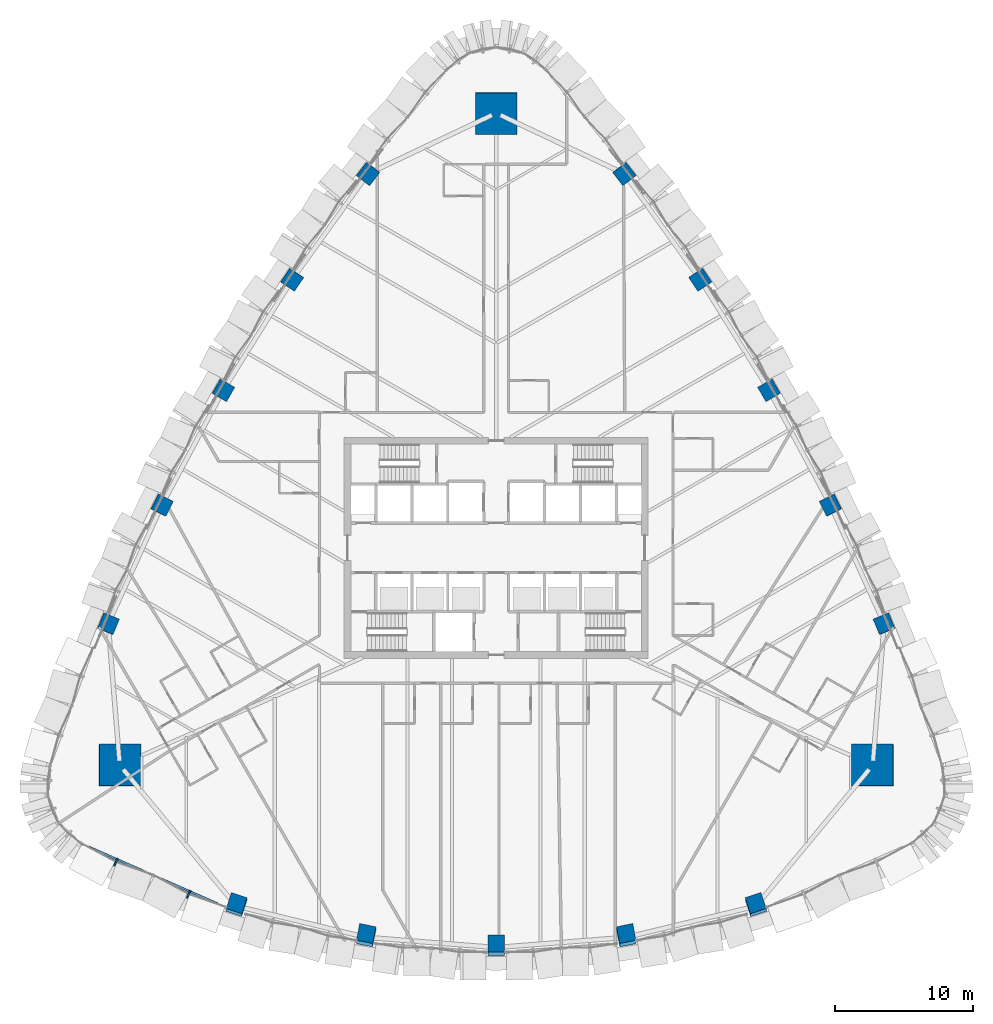
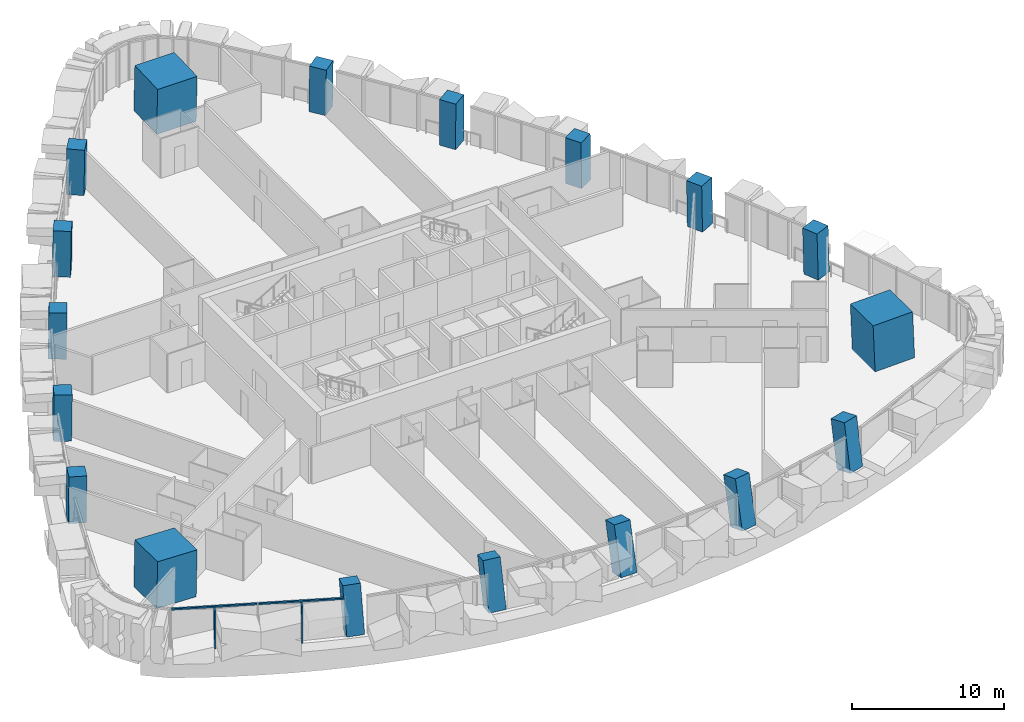
# One storey, part 1 of 27: 18 columns, 4 members, 1 element without a shape of its own.
"""IFC4 building model written with IfcOpenShell, lengths in metres."""

from ifc_helpers import new_model, si_unit, direction, frame, origin, origin_2d, place, context, subcontext, project, spatial, rectangle, extrude, clip, halfspace, material, layer, layer_set, material_profile, profile_set, type_object, element, aggregate, save


model = new_model("IFC4")

# Units and contexts
model_context = context("Model", 3, precision=1e-05, world=origin(), true_north=direction((0.0, 1.0)))
body_context = subcontext(model_context, "Body", "Model", "MODEL_VIEW")
ifc_project = project(units=[si_unit("LENGTHUNIT", "METRE"), si_unit("AREAUNIT", "SQUARE_METRE"), si_unit("VOLUMEUNIT", "CUBIC_METRE"), si_unit("PLANEANGLEUNIT", "RADIAN"), si_unit("MASSUNIT", "GRAM", prefix="KILO")], contexts=[model_context])

# Site, building, storey
site_placement = place(None, origin())
site = spatial("IfcSite", under=ifc_project, at=site_placement, CompositionType="ELEMENT")
building_placement = place(site_placement, origin())
building = spatial("IfcBuilding", under=site, at=building_placement, Name="Sierra Prisma Convention Tower", CompositionType="ELEMENT")
storey_placement = place(building_placement, frame((0.0, 0.0, 48.0)))
storey = spatial("IfcBuildingStorey", under=building, at=storey_placement, Name="L07", CompositionType="ELEMENT", Elevation=48.0)

# Columns
ifc_material_1 = material(Name="Concrete C60/75", Category="concrete")
ifc_material_profile_1 = material_profile(ifc_material_1, rectangle(XDim=3.0, YDim=3.0, at=origin_2d()), Name="Mega column RC 3000 C60/75")
ifc_profile_set_1 = profile_set([ifc_material_profile_1], Name="Concrete C60/75")
column_type_1 = type_object("IfcColumnType", Name="Mega column RC 3000 C60/75", PredefinedType="COLUMN", material=ifc_profile_set_1)
column_1_placement = place(storey_placement, frame((27.24169921875, -15.72802734375, 0.0), z_axis=(-0.030597838594, 0.017672889533, 0.99937552564), x_axis=(0.99953177652, 0.000541005533, 0.030593055416)))
element("IfcColumn", 1, at=column_1_placement, inside=storey, type_object=column_type_1, Name="Mega column SE L07", PredefinedType="COLUMN", context=body_context, shape_type="SweptSolid", body=[
    clip(extrude(rectangle(XDim=3.0, YDim=3.0, at=origin_2d()), origin(), (0.0, 0.0, 1.0), 3.7021484375), halfspace(frame((0.0, 0.0, 0.017822265625)), True)),
])
column_2_placement = place(storey_placement, frame((0.0, 31.4560546875, 0.0), z_axis=(0.0, -0.03534576554, 0.999375143206), x_axis=(1.0, 0.0, 0.0)))
element("IfcColumn", 2, at=column_2_placement, inside=storey, type_object=column_type_1, Name="Mega column N L07", PredefinedType="COLUMN", context=body_context, shape_type="SweptSolid", body=[
    clip(extrude(rectangle(XDim=3.0, YDim=3.0, at=origin_2d()), origin(), (0.0, 0.0, 1.0), 3.7021484375), halfspace(frame((0.0, 0.0, 0.01318359375)), True)),
])
column_3_placement = place(storey_placement, frame((-27.24169921875, -15.72802734375, 0.0), z_axis=(0.030597838594, 0.017672889533, 0.99937552564), x_axis=(0.99953177652, -0.000541005533, -0.030593055416)))
element("IfcColumn", 3, at=column_3_placement, inside=storey, type_object=column_type_1, Name="Mega column SW L07", PredefinedType="COLUMN", context=body_context, shape_type="SweptSolid", body=[
    clip(extrude(rectangle(XDim=3.0, YDim=3.0, at=origin_2d()), origin(), (0.0, 0.0, 1.0), 3.7021484375), halfspace(frame((0.0, 0.0, 0.017822265625)), True)),
])
ifc_material_2 = material(Name="Concrete C60/75", Category="concrete")
ifc_material_profile_2 = material_profile(ifc_material_2, rectangle(XDim=1.199951171875, YDim=1.199951171875, at=origin_2d()), Name="Perimeter column RC 1200 C60/75")
ifc_profile_set_2 = profile_set([ifc_material_profile_2], Name="Concrete C60/75")
column_type_2 = type_object("IfcColumnType", Name="Perimeter column RC 1200 C60/75", PredefinedType="COLUMN", material=ifc_profile_set_2)
column_4_placement = place(storey_placement, frame((-18.801513671875, -25.928466796875, 0.0), z_axis=(0.019020345186, 0.17825893475, 0.983799765527), x_axis=(-0.950332394894, 0.308956292564, -0.037607824987)))
element("IfcColumn", 4, at=column_4_placement, inside=storey, type_object=column_type_2, Name="Perimeter column S-1 L07", PredefinedType="COLUMN", context=body_context, shape_type="SweptSolid", body=[
    clip(clip(extrude(rectangle(XDim=1.199951171875, YDim=1.199951171875, at=origin_2d()), origin(), (0.0, 0.0, 1.0), 3.760986328125), halfspace(frame((0.0, 0.0, 0.0078125)), True)), halfspace(frame((0.0, 0.0, 3.760009765625)), False)),
])
column_5_placement = place(storey_placement, frame((-9.421142578125, -28.185546875, 0.0), z_axis=(0.00938738074, 0.224525572229, 0.97442298028), x_axis=(0.980605744382, -0.192842524507, 0.034987638199)))
element("IfcColumn", 5, at=column_5_placement, inside=storey, type_object=column_type_2, Name="Perimeter column S-2 L07", PredefinedType="COLUMN", context=body_context, shape_type="SweptSolid", body=[
    clip(extrude(rectangle(XDim=1.199951171875, YDim=1.199951171875, at=origin_2d()), origin(), (0.0, 0.0, 1.0), 3.797119140625), halfspace(frame((0.0, 0.0, 0.00830078125)), True)),
])
column_6_placement = place(storey_placement, frame((0.0, -28.923583984375, 0.0), z_axis=(0.0, 0.238749489976, 0.971081191784), x_axis=(-1.0, 0.0, 0.0)))
element("IfcColumn", 6, at=column_6_placement, inside=storey, type_object=column_type_2, Name="Perimeter column S-3 L07", PredefinedType="COLUMN", context=body_context, shape_type="SweptSolid", body=[
    clip(extrude(rectangle(XDim=1.199951171875, YDim=1.199951171875, at=origin_2d()), origin(), (0.0, 0.0, 1.0), 3.81005859375), halfspace(frame((0.0, 0.0, 0.0087890625)), True)),
])
column_7_placement = place(storey_placement, frame((9.421142578125, -28.185546875, 0.0), z_axis=(-0.00938738074, 0.224525572229, 0.97442298028), x_axis=(-0.980605744382, -0.192842524507, 0.034987638199)))
element("IfcColumn", 7, at=column_7_placement, inside=storey, type_object=column_type_2, Name="Perimeter column S-4 L07", PredefinedType="COLUMN", context=body_context, shape_type="SweptSolid", body=[
    clip(extrude(rectangle(XDim=1.199951171875, YDim=1.199951171875, at=origin_2d()), origin(), (0.0, 0.0, 1.0), 3.797119140625), halfspace(frame((0.0, 0.0, 0.00830078125)), True)),
])
column_8_placement = place(storey_placement, frame((18.801513671875, -25.928466796875, 0.0), z_axis=(-0.019020345186, 0.17825893475, 0.983799765527), x_axis=(0.950332394894, 0.308956292564, -0.037607824987)))
element("IfcColumn", 8, at=column_8_placement, inside=storey, type_object=column_type_2, Name="Perimeter column S-5 L07", PredefinedType="COLUMN", context=body_context, shape_type="SweptSolid", body=[
    clip(clip(extrude(rectangle(XDim=1.199951171875, YDim=1.199951171875, at=origin_2d()), origin(), (0.0, 0.0, 1.0), 3.760986328125), halfspace(frame((0.0, 0.0, 0.0078125)), True)), halfspace(frame((0.0, 0.0, 3.760009765625)), False)),
])
column_9_placement = place(storey_placement, frame((28.076904296875, -5.5, 0.0), z_axis=(-0.019526598325, 0.011016695677, 0.999748640596), x_axis=(-0.381957446123, 0.924011503162, -0.017642317722)))
element("IfcColumn", 9, at=column_9_placement, inside=storey, type_object=column_type_2, Name="Perimeter column NE-1 L07", PredefinedType="COLUMN", context=body_context, shape_type="SweptSolid", body=[
    clip(extrude(rectangle(XDim=1.199951171875, YDim=1.199951171875, at=origin_2d()), origin(), (0.0, 0.0, 1.0), 3.700927734375), halfspace(frame((0.0, 0.0, 0.0048828125)), True)),
])
column_10_placement = place(storey_placement, frame((24.191162109375, 3.088134765625, 0.0), z_axis=(-0.015306644787, 0.002309192102, 0.99988017995), x_axis=(-0.441920685772, 0.897010601558, -0.008836751577)))
element("IfcColumn", 10, at=column_10_placement, inside=storey, type_object=column_type_2, Name="Perimeter column NE-2 L07", PredefinedType="COLUMN", context=body_context, shape_type="SweptSolid", body=[
    clip(extrude(rectangle(XDim=1.199951171875, YDim=1.199951171875, at=origin_2d()), origin(), (0.0, 0.0, 1.0), 3.700439453125), halfspace(frame((0.0, 0.0, 0.00341796875)), True)),
])
column_11_placement = place(storey_placement, frame((19.7490234375, 11.402099609375, 0.0), z_axis=(-0.010688729499, -0.00613612249, 0.999924046647), x_axis=(-0.49997143695, 0.866041893524, -2.9922579e-05)))
element("IfcColumn", 11, at=column_11_placement, inside=storey, type_object=column_type_2, Name="Perimeter column NE-3 L07", PredefinedType="COLUMN", context=body_context, shape_type="SweptSolid", body=[
    clip(extrude(rectangle(XDim=1.199951171875, YDim=1.199951171875, at=origin_2d()), origin(), (0.0, 0.0, 1.0), 3.7001953125), halfspace(frame((0.0, 0.0, 0.002197265625)), True)),
])
column_12_placement = place(storey_placement, frame((14.77001953125, 19.406005859375, 0.0), z_axis=(-0.005674016471, -0.014382971985, 0.999880460682), x_axis=(-0.555854390577, 0.831233065073, 0.008802727192)))
element("IfcColumn", 12, at=column_12_placement, inside=storey, type_object=column_type_2, Name="Perimeter column NE-4 L07", PredefinedType="COLUMN", context=body_context, shape_type="SweptSolid", body=[
    clip(extrude(rectangle(XDim=1.199951171875, YDim=1.199951171875, at=origin_2d()), origin(), (0.0, 0.0, 1.0), 3.700439453125), halfspace(frame((0.0, 0.0, 0.00341796875)), True)),
])
for number, where, z_axis, x_axis, name in (
    (13, (9.275390625, 27.065185546875, 0.0), (-0.00019790496, -0.022363260521, 0.999749891429), (-0.609322053377, 0.792727229496, 0.017611782556), "Perimeter column NE-5 L07"),
    (14, (-9.275390625, 27.065185546875, 0.0), (0.00019790496, -0.022363260521, 0.999749891429), (0.609322053377, 0.792727229496, 0.017611782556), "Perimeter column NW-1 L07"),
):
    element("IfcColumn", number, at=place(storey_placement, frame(where, z_axis=z_axis, x_axis=x_axis)), inside=storey, type_object=column_type_2, Name=name, PredefinedType="COLUMN", context=body_context, shape_type="SweptSolid", body=[
        clip(extrude(rectangle(XDim=1.199951171875, YDim=1.199951171875, at=origin_2d()), origin(), (0.0, 0.0, 1.0), 3.700927734375), halfspace(frame((0.0, 0.0, 0.0048828125)), True)),
    ])
column_13_placement = place(storey_placement, frame((-14.77001953125, 19.406005859375, 0.0), z_axis=(0.005674016471, -0.014382971985, 0.999880460682), x_axis=(0.555854390577, 0.831233065073, 0.008802727192)))
element("IfcColumn", 15, at=column_13_placement, inside=storey, type_object=column_type_2, Name="Perimeter column NW-2 L07", PredefinedType="COLUMN", context=body_context, shape_type="SweptSolid", body=[
    clip(extrude(rectangle(XDim=1.199951171875, YDim=1.199951171875, at=origin_2d()), origin(), (0.0, 0.0, 1.0), 3.700439453125), halfspace(frame((0.0, 0.0, 0.00341796875)), True)),
])
column_14_placement = place(storey_placement, frame((-19.7490234375, 11.402099609375, 0.0), z_axis=(0.010688729499, -0.00613612249, 0.999924046647), x_axis=(0.49997143695, 0.866041893524, -2.9922579e-05)))
element("IfcColumn", 16, at=column_14_placement, inside=storey, type_object=column_type_2, Name="Perimeter column NW-3 L07", PredefinedType="COLUMN", context=body_context, shape_type="SweptSolid", body=[
    clip(extrude(rectangle(XDim=1.199951171875, YDim=1.199951171875, at=origin_2d()), origin(), (0.0, 0.0, 1.0), 3.7001953125), halfspace(frame((0.0, 0.0, 0.002197265625)), True)),
])
column_15_placement = place(storey_placement, frame((-24.191162109375, 3.088134765625, 0.0), z_axis=(0.015306644787, 0.002309192102, 0.99988017995), x_axis=(0.441920685772, 0.897010601558, -0.008836751577)))
element("IfcColumn", 17, at=column_15_placement, inside=storey, type_object=column_type_2, Name="Perimeter column NW-4 L07", PredefinedType="COLUMN", context=body_context, shape_type="SweptSolid", body=[
    clip(extrude(rectangle(XDim=1.199951171875, YDim=1.199951171875, at=origin_2d()), origin(), (0.0, 0.0, 1.0), 3.700439453125), halfspace(frame((0.0, 0.0, 0.00341796875)), True)),
])
column_16_placement = place(storey_placement, frame((-28.076904296875, -5.5, 0.0), z_axis=(0.019526598325, 0.011016695677, 0.999748640596), x_axis=(0.381957446123, 0.924011503162, -0.017642317722)))
element("IfcColumn", 18, at=column_16_placement, inside=storey, type_object=column_type_2, Name="Perimeter column NW-5 L07", PredefinedType="COLUMN", context=body_context, shape_type="SweptSolid", body=[
    clip(extrude(rectangle(XDim=1.199951171875, YDim=1.199951171875, at=origin_2d()), origin(), (0.0, 0.0, 1.0), 3.700927734375), halfspace(frame((0.0, 0.0, 0.0048828125)), True)),
])

# Curtain wall, members
ifc_material_3 = material(Name="Aluminium and glass curtain wall", Category="aluminium")
ifc_layer = layer(ifc_material_3, 0.179931640625)
ifc_layer_set = layer_set([ifc_layer], Name="CW-2 Faceted crystal curtain wall")
curtain_wall_type = type_object("IfcCurtainWallType", Name="CW-2 Faceted crystal curtain wall", PredefinedType="NOTDEFINED", material=ifc_layer_set)
curtain_wall_placement = place(storey_placement, origin())
curtain_wall = element("IfcCurtainWall", 19, at=curtain_wall_placement, inside=storey, type_object=curtain_wall_type, Name="CW-2 S1 L07", PredefinedType="NOTDEFINED")
ifc_material_4 = material(Name="Aluminium 6063-T6 bronze anodised", Category="aluminium")
ifc_material_profile_3 = material_profile(ifc_material_4, rectangle(XDim=0.1201171875, YDim=0.60009765625, at=origin_2d()), Name="ALU RIDGE BLADE 120x600")
ifc_profile_set_3 = profile_set([ifc_material_profile_3], Name="Aluminium 6063-T6 bronze anodised")
member_type_1 = type_object("IfcMemberType", Name="CW hip bronze", PredefinedType="MULLION", material=ifc_profile_set_3)
member_1_placement = place(storey_placement, frame((-27.5234375, -22.74755859375, 0.0), z_axis=(0.0, 0.0, 1.0), x_axis=(0.914996024231, -0.403462855343, 0.0)))
member_1 = element("IfcMember", 20, at=member_1_placement, type_object=member_type_1, Name="CW-2 ridge S1.1", PredefinedType="MULLION", context=body_context, shape_type="SweptSolid", body=[
    extrude(rectangle(XDim=0.1201171875, YDim=0.60009765625, at=origin_2d()), origin(), (0.0, 0.0, 1.0), 2.97998046875),
])
member_2_placement = place(storey_placement, frame((-22.261474609375, -25.06787109375, 0.0), z_axis=(0.0, 0.0, 1.0), x_axis=(0.914996024231, -0.403462855343, 0.0)))
member_2 = element("IfcMember", 21, at=member_2_placement, type_object=member_type_1, Name="CW-2 ridge S1.2", PredefinedType="MULLION", context=body_context, shape_type="SweptSolid", body=[
    extrude(rectangle(XDim=0.1201171875, YDim=0.60009765625, at=origin_2d()), origin(), (0.0, 0.0, 1.0), 2.97998046875),
])
ifc_material_5 = material(Name="Aluminium 6063-T6 bronze anodised", Category="aluminium")
ifc_material_profile_4 = material_profile(ifc_material_5, rectangle(XDim=0.139892578125, YDim=0.1201171875, at=origin_2d()), Name="ALU TRANSOM 120x140")
ifc_profile_set_4 = profile_set([ifc_material_profile_4], Name="Aluminium 6063-T6 bronze anodised")
member_type_2 = type_object("IfcMemberType", Name="CW transom bronze", PredefinedType="USERDEFINED", material=ifc_profile_set_4)
member_3_placement = place(storey_placement, frame((-30.0322265625, -21.39697265625, 3.0400390625), z_axis=(0.914998538003, -0.403457154421, 0.0), x_axis=(0.403457154421, 0.914998538003, 0.0)))
member_3 = element("IfcMember", 22, at=member_3_placement, type_object=member_type_2, Name="CW-1 transom S1.1", ObjectType="TRANSOM", PredefinedType="USERDEFINED", context=body_context, shape_type="SweptSolid", body=[
    extrude(rectangle(XDim=0.139892578125, YDim=0.1201171875, at=origin_2d()), origin(), (0.0, 0.0, 1.0), 5.680908203125),
])
member_4_placement = place(storey_placement, frame((-24.770263671875, -23.71728515625, 3.0400390625), z_axis=(0.914998538003, -0.403457154421, 0.0), x_axis=(0.403457154421, 0.914998538003, 0.0)))
member_4 = element("IfcMember", 23, at=member_4_placement, type_object=member_type_2, Name="CW-1 transom S1.2", ObjectType="TRANSOM", PredefinedType="USERDEFINED", context=body_context, shape_type="SweptSolid", body=[
    extrude(rectangle(XDim=0.139892578125, YDim=0.1201171875, at=origin_2d()), origin(), (0.0, 0.0, 1.0), 5.680908203125),
])
aggregate(curtain_wall, [member_3, member_1, member_4, member_2])

save(model, "model.ifc")
